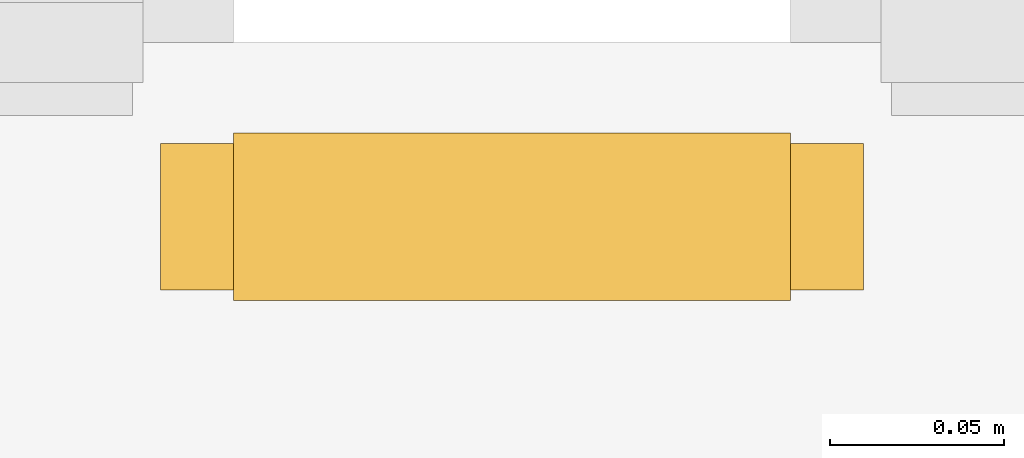
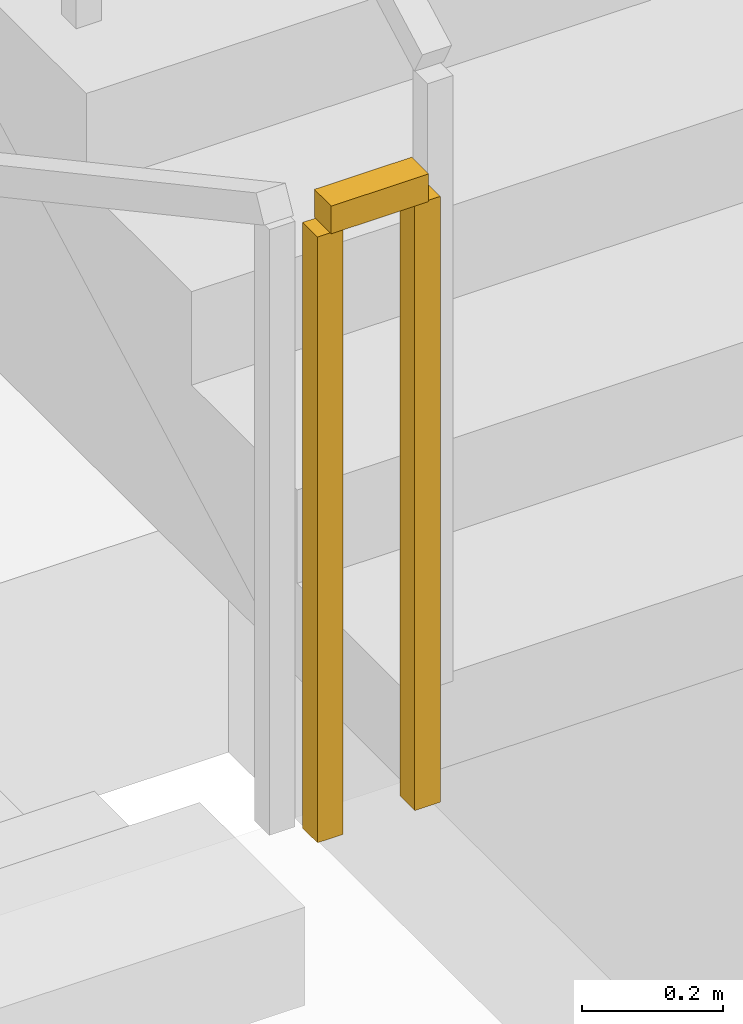
# One storey, part 13 of 18: 1 railing.
"""IFC4 building model written with IfcOpenShell, lengths in metres."""

from ifc_helpers import new_model, si_unit, direction, frame, origin, origin_2d, place, context, subcontext, project, spatial, rectangle, extrude, material, type_object, element, save


model = new_model("IFC4")

# Units and contexts
model_context = context("Model", 3, precision=1e-05, world=origin(), true_north=direction((0.0, 1.0)))
body_context = subcontext(model_context, "Body", "Model", "MODEL_VIEW")
ifc_project = project(units=[si_unit("LENGTHUNIT", "METRE"), si_unit("AREAUNIT", "SQUARE_METRE"), si_unit("VOLUMEUNIT", "CUBIC_METRE"), si_unit("PLANEANGLEUNIT", "RADIAN"), si_unit("MASSUNIT", "GRAM", prefix="KILO")], contexts=[model_context])

# Site, building, storey
site_placement = place(None, origin())
site = spatial("IfcSite", under=ifc_project, at=site_placement, CompositionType="ELEMENT")
building_placement = place(site_placement, origin())
building = spatial("IfcBuilding", under=site, at=building_placement, Name="Zulmaris Gate Convention Tower", CompositionType="ELEMENT")
storey_placement = place(building_placement, frame((0.0, 0.0, 57.18994140625)))
storey = spatial("IfcBuildingStorey", under=building, at=storey_placement, Name="L13", CompositionType="ELEMENT", Elevation=57.18994140625)

# Railing
ifc_material = material(Name="Painted Galvanised Steel", Category="steel")
railing_type = type_object("IfcRailingType", Name="RL-STG-1150", PredefinedType="GUARDRAIL", material=ifc_material)
railing_placement = place(storey_placement, frame((-13.219970703125, -5.050048828125, 1.784912109375)))
element("IfcRailing", 1, at=railing_placement, inside=storey, type_object=railing_type, Name="L13 ST-1 stair guard 2", PredefinedType="GUARDRAIL", context=body_context, shape_type="SweptSolid", body=[
    extrude(rectangle(XDim=0.048095703125, YDim=0.048095703125, at=origin_2d()), frame((0.0, 0.0, 1.076171875), z_axis=(1.0, 0.0, 0.0), x_axis=(0.0, 1.0, 0.0)), (0.0, 0.0, 1.0), 0.159912109375),
    extrude(rectangle(XDim=0.0419921875, YDim=0.0419921875, at=origin_2d()), origin(), (0.0, 0.0, 1.0), 1.052001953125),
    extrude(rectangle(XDim=0.0419921875, YDim=0.0419921875, at=origin_2d()), frame((0.159912109375, 0.0, 0.0)), (0.0, 0.0, 1.0), 1.052001953125),
])

save(model, "model.ifc")
